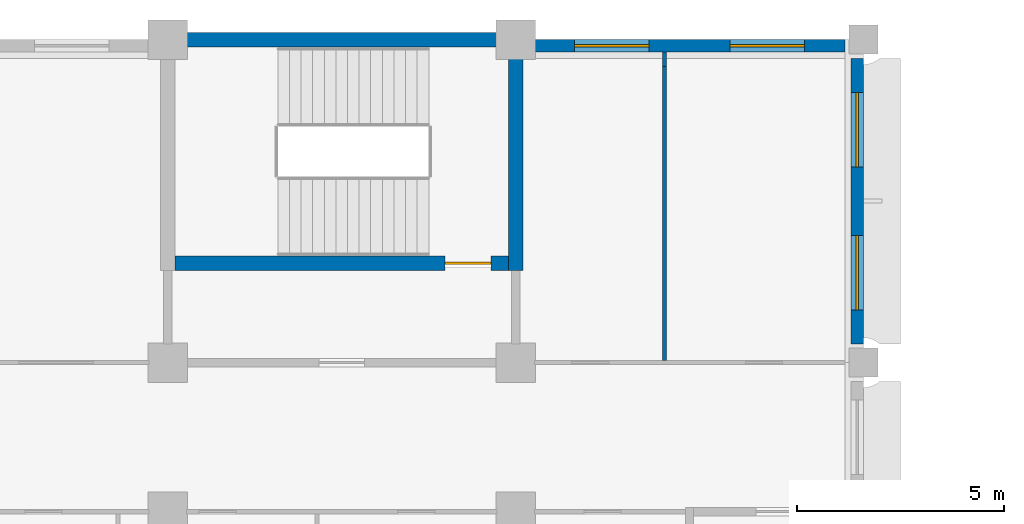
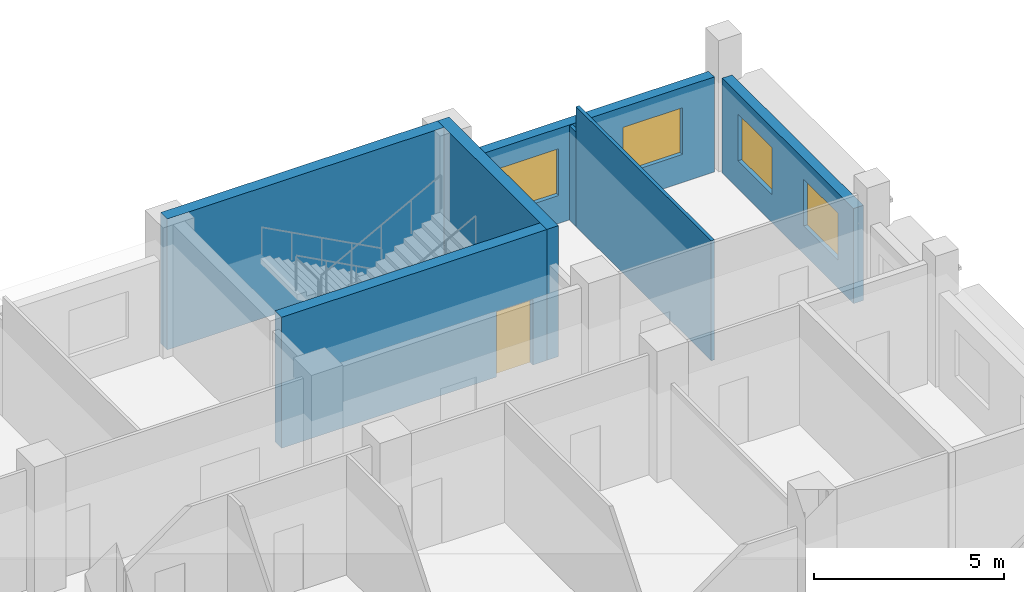
# One storey, part 75 of 109: 7 walls, 4 windows, 1 door, 5 openings.
"""IFC4 building model written with IfcOpenShell, lengths in metres."""

from ifc_helpers import new_model, si_unit, direction, frame, frame_2d, origin, place, context, subcontext, project, spatial, rectangle, extrude, material, layer, layer_set, type_object, element, fill, save


model = new_model("IFC4")

# Units and contexts
model_context = context("Model", 3, precision=1e-05, world=origin(), true_north=direction((0.0, 1.0)))
body_context = subcontext(model_context, "Body", "Model", "MODEL_VIEW")
ifc_project = project(units=[si_unit("LENGTHUNIT", "METRE"), si_unit("AREAUNIT", "SQUARE_METRE"), si_unit("VOLUMEUNIT", "CUBIC_METRE"), si_unit("PLANEANGLEUNIT", "RADIAN"), si_unit("MASSUNIT", "GRAM", prefix="KILO")], contexts=[model_context])

# Site, building, storey
site_placement = place(None, origin())
site = spatial("IfcSite", under=ifc_project, at=site_placement, CompositionType="ELEMENT")
building_placement = place(site_placement, origin())
building = spatial("IfcBuilding", under=site, at=building_placement, Name="Bougainvillea Quay General Hospital", CompositionType="ELEMENT")
storey_placement = place(building_placement, frame((0.0, 0.0, 12.60009765625)))
storey = spatial("IfcBuildingStorey", under=building, at=storey_placement, Name="L02", CompositionType="ELEMENT", Elevation=12.60009765625)

# Wall, openings, windows
ifc_material_1 = material(Name="Pale stone rainscreen cladding on insulated masonry backing, pale stone", Category="masonry")
ifc_layer_1 = layer(ifc_material_1, 0.300048828125)
ifc_layer_set_1 = layer_set([ifc_layer_1], Name="Pale stone rainscreen cladding on insulated masonry backing, pale stone")
wall_type_1 = type_object("IfcWallType", Name="External wall pale stone rainscreen 300", PredefinedType="STANDARD", material=ifc_layer_set_1)
wall_1_placement = place(storey_placement, frame((193.050048828125, 152.25, 0.0), z_axis=(0.0, 0.0, 1.0), x_axis=(0.0, 1.0, 0.0)))
wall_1 = element("IfcWall", 1, at=wall_1_placement, inside=storey, type_object=wall_type_1, Name="External wall wall/V4/L02/p0/00g", PredefinedType="STANDARD", context=body_context, shape_type="SweptSolid", body=[
    extrude(rectangle(XDim=6.89990234375, YDim=0.300048828125, at=frame_2d((3.449951171875, 0.0))), origin(), (0.0, 0.0, 1.0), 3.0498046875),
])
opening_1_placement = place(wall_1_placement, frame((0.824951171875, 0.0, 0.89990234375)))
opening_1 = element("IfcOpeningElement", 2, at=opening_1_placement, cuts=wall_1, Name="Opening W1", PredefinedType="OPENING", context=body_context, shape_type="SweptSolid", body=[
    extrude(rectangle(XDim=1.800048828125, YDim=1.5, at=frame_2d((0.89990234375, 0.75))), frame((0.0, 0.159912109375, 0.0), z_axis=(0.0, -1.0, 0.0), x_axis=(1.0, 0.0, 0.0)), (0.0, 0.0, 1.0), 0.320068359375),
])
opening_2_placement = place(wall_1_placement, frame((4.27490234375, 0.0, 0.89990234375)))
opening_2 = element("IfcOpeningElement", 3, at=opening_2_placement, cuts=wall_1, Name="Opening W1", PredefinedType="OPENING", context=body_context, shape_type="SweptSolid", body=[
    extrude(rectangle(XDim=1.800048828125, YDim=1.5, at=frame_2d((0.89990234375, 0.75))), frame((0.0, 0.159912109375, 0.0), z_axis=(0.0, -1.0, 0.0), x_axis=(1.0, 0.0, 0.0)), (0.0, 0.0, 1.0), 0.320068359375),
])
ifc_material_2 = material(Name="Aluminium window frame with low-e double glazed unit", Category="aluminium")
window_type = type_object("IfcWindowType", Name="Window W1 1800x1500", PartitioningType="DOUBLE_PANEL_VERTICAL", PredefinedType="WINDOW", material=ifc_material_2)
window_1_placement = place(opening_1_placement, origin())
window_1 = element("IfcWindow", 4, at=window_1_placement, inside=storey, type_object=window_type, Name="Window W1 1", OverallHeight=1.5, OverallWidth=1.800048828125, PartitioningType="SINGLE_PANEL", PredefinedType="WINDOW", context=body_context, shape_type="SweptSolid", body=[
    extrude(rectangle(XDim=1.800048828125, YDim=1.5, at=frame_2d((0.89990234375, 0.75))), frame((0.0, 0.030029296875, 0.0), z_axis=(0.0, -1.0, 0.0), x_axis=(1.0, 0.0, 0.0)), (0.0, 0.0, 1.0), 0.06005859375),
])
fill(opening_1, window_1)
window_2_placement = place(opening_2_placement, origin())
window_2 = element("IfcWindow", 5, at=window_2_placement, inside=storey, type_object=window_type, Name="Window W1 2", OverallHeight=1.5, OverallWidth=1.800048828125, PartitioningType="SINGLE_PANEL", PredefinedType="WINDOW", context=body_context, shape_type="SweptSolid", body=[
    extrude(rectangle(XDim=1.800048828125, YDim=1.5, at=frame_2d((0.89990234375, 0.75))), frame((0.0, 0.030029296875, 0.0), z_axis=(0.0, -1.0, 0.0), x_axis=(1.0, 0.0, 0.0)), (0.0, 0.0, 1.0), 0.06005859375),
])
fill(opening_2, window_2)

wall_2_placement = place(storey_placement, frame((192.75, 159.449951171875, 0.0), z_axis=(0.0, 0.0, 1.0), x_axis=(-1.0, 0.0, 0.0)))
wall_2 = element("IfcWall", 6, at=wall_2_placement, inside=storey, type_object=wall_type_1, Name="External wall wall/V4/L02/p0/01a", PredefinedType="STANDARD", context=body_context, shape_type="SweptSolid", body=[
    extrude(rectangle(XDim=7.5, YDim=0.300048828125, at=frame_2d((3.75, 0.0))), origin(), (0.0, 0.0, 1.0), 3.0498046875),
])
opening_3_placement = place(wall_2_placement, frame((0.97509765625, 0.0, 0.89990234375)))
opening_3 = element("IfcOpeningElement", 7, at=opening_3_placement, cuts=wall_2, Name="Opening W1", PredefinedType="OPENING", context=body_context, shape_type="SweptSolid", body=[
    extrude(rectangle(XDim=1.800048828125, YDim=1.5, at=frame_2d((0.89990234375, 0.75))), frame((0.0, 0.159912109375, 0.0), z_axis=(0.0, -1.0, 0.0), x_axis=(1.0, 0.0, 0.0)), (0.0, 0.0, 1.0), 0.320068359375),
])
opening_4_placement = place(wall_2_placement, frame((4.72509765625, 0.0, 0.89990234375)))
opening_4 = element("IfcOpeningElement", 8, at=opening_4_placement, cuts=wall_2, Name="Opening W1", PredefinedType="OPENING", context=body_context, shape_type="SweptSolid", body=[
    extrude(rectangle(XDim=1.800048828125, YDim=1.5, at=frame_2d((0.89990234375, 0.75))), frame((0.0, 0.159912109375, 0.0), z_axis=(0.0, -1.0, 0.0), x_axis=(1.0, 0.0, 0.0)), (0.0, 0.0, 1.0), 0.320068359375),
])
window_3_placement = place(opening_3_placement, origin())
window_3 = element("IfcWindow", 9, at=window_3_placement, inside=storey, type_object=window_type, Name="Window W1 1", OverallHeight=1.5, OverallWidth=1.800048828125, PartitioningType="SINGLE_PANEL", PredefinedType="WINDOW", context=body_context, shape_type="SweptSolid", body=[
    extrude(rectangle(XDim=1.800048828125, YDim=1.5, at=frame_2d((0.89990234375, 0.75))), frame((0.0, 0.030029296875, 0.0), z_axis=(0.0, -1.0, 0.0), x_axis=(1.0, 0.0, 0.0)), (0.0, 0.0, 1.0), 0.06005859375),
])
fill(opening_3, window_3)
window_4_placement = place(opening_4_placement, origin())
window_4 = element("IfcWindow", 10, at=window_4_placement, inside=storey, type_object=window_type, Name="Window W1 2", OverallHeight=1.5, OverallWidth=1.800048828125, PartitioningType="SINGLE_PANEL", PredefinedType="WINDOW", context=body_context, shape_type="SweptSolid", body=[
    extrude(rectangle(XDim=1.800048828125, YDim=1.5, at=frame_2d((0.89990234375, 0.75))), frame((0.0, 0.030029296875, 0.0), z_axis=(0.0, -1.0, 0.0), x_axis=(1.0, 0.0, 0.0)), (0.0, 0.0, 1.0), 0.06005859375),
])
fill(opening_4, window_4)

# Walls
ifc_material_3 = material(Name="Gypsum board partition on steel studs", Category="steel")
ifc_layer_2 = layer(ifc_material_3, 0.10009765625)
ifc_layer_set_2 = layer_set([ifc_layer_2], Name="Gypsum board partition on steel studs")
wall_type_2 = type_object("IfcWallType", Name="Partition 100 Gypsum board partition", PredefinedType="PARTITIONING", material=ifc_layer_set_2)
wall_3_placement = place(storey_placement, frame((188.39990234375, 151.85009765625, 0.0), z_axis=(0.0, 0.0, 1.0), x_axis=(0.0, 1.0, 0.0)))
element("IfcWall", 11, at=wall_3_placement, inside=storey, type_object=wall_type_2, Name="Partition 100 mm", PredefinedType="PARTITIONING", context=body_context, shape_type="SweptSolid", body=[
    extrude(rectangle(XDim=7.099853515625, YDim=0.10009765625, at=frame_2d((3.5498046875, 0.0))), origin(), (0.0, 0.0, 1.0), 3.849853515625),
])
wall_4_placement = place(storey_placement, frame((188.39990234375, 158.949951171875, 0.0), z_axis=(0.0, 0.0, 1.0), x_axis=(0.0, 1.0, 0.0)))
element("IfcWall", 12, at=wall_4_placement, inside=storey, type_object=wall_type_2, Name="Partition 100 mm", PredefinedType="PARTITIONING", context=body_context, shape_type="SweptSolid", body=[
    extrude(rectangle(XDim=0.35009765625, YDim=0.10009765625, at=frame_2d((0.175048828125, 0.0))), origin(), (0.0, 0.0, 1.0), 3.02978515625),
])
ifc_material_4 = material(Name="Concrete C40", Category="concrete")
ifc_layer_3 = layer(ifc_material_4, 0.35009765625)
ifc_layer_set_3 = layer_set([ifc_layer_3], Name="Concrete C40")
wall_type_3 = type_object("IfcWallType", Name="RC SHEAR WALL 350 C40", PredefinedType="SHEAR", material=ifc_layer_set_3)
wall_5_placement = place(storey_placement, frame((176.22509765625, 159.60009765625, 0.0), z_axis=(0.0, 0.0, 1.0), x_axis=(1.0, 0.0, 0.0)))
element("IfcWall", 13, at=wall_5_placement, inside=storey, type_object=wall_type_3, Name="Shear wall L02", PredefinedType="SHEAR", context=body_context, shape_type="SweptSolid", body=[
    extrude(rectangle(XDim=8.39990234375, YDim=0.35009765625, at=frame_2d((4.199951171875, 0.0))), origin(), (0.0, 0.0, 1.0), 4.199951171875),
])

# Wall, opening, door
wall_6_placement = place(storey_placement, frame((176.574951171875, 154.199951171875, 0.0), z_axis=(0.0, 0.0, 1.0), x_axis=(1.0, 0.0, 0.0)))
wall_6 = element("IfcWall", 14, at=wall_6_placement, inside=storey, type_object=wall_type_3, Name="Shear wall L02", PredefinedType="SHEAR", context=body_context, shape_type="SweptSolid", body=[
    extrude(rectangle(XDim=8.050048828125, YDim=0.35009765625, at=frame_2d((4.02490234375, 0.0))), origin(), (0.0, 0.0, 1.0), 4.199951171875),
])
opening_5_placement = place(wall_6_placement, frame((6.52490234375, 0.0, 0.0)))
opening_5 = element("IfcOpeningElement", 15, at=opening_5_placement, cuts=wall_6, Name="Opening L02.020", PredefinedType="OPENING", context=body_context, shape_type="SweptSolid", body=[
    extrude(rectangle(XDim=1.10009765625, YDim=2.10009765625, at=frame_2d((0.550048828125, 1.050048828125))), frame((0.0, 0.18505859375, 0.0), z_axis=(0.0, -1.0, 0.0), x_axis=(1.0, 0.0, 0.0)), (0.0, 0.0, 1.0), 0.3701171875),
])
ifc_material_5 = material(Name="Steel fire door leaf in steel frame", Category="steel")
door_type = type_object("IfcDoorType", Name="Steel single leaf door 1100x2100 FD60", OperationType="NOTDEFINED", PredefinedType="DOOR", material=ifc_material_5)
door_placement = place(opening_5_placement, origin())
door = element("IfcDoor", 16, at=door_placement, inside=storey, type_object=door_type, Name="DT04 L02.020", OperationType="SINGLE_SWING_RIGHT", OverallHeight=2.10009765625, OverallWidth=1.10009765625, PredefinedType="DOOR", context=body_context, shape_type="SweptSolid", body=[
    extrude(rectangle(XDim=1.10009765625, YDim=2.10009765625, at=frame_2d((0.550048828125, 1.050048828125))), frame((0.0, 0.02490234375, 0.0), z_axis=(0.0, -1.0, 0.0), x_axis=(1.0, 0.0, 0.0)), (0.0, 0.0, 1.0), 0.050048828125),
])
fill(opening_5, door)

# Wall
wall_7_placement = place(storey_placement, frame((184.800048828125, 154.02490234375, 0.0), z_axis=(0.0, 0.0, 1.0), x_axis=(0.0, 1.0, 0.0)))
element("IfcWall", 17, at=wall_7_placement, inside=storey, type_object=wall_type_3, Name="Shear wall L02", PredefinedType="SHEAR", context=body_context, shape_type="SweptSolid", body=[
    extrude(rectangle(XDim=5.75, YDim=0.35009765625, at=frame_2d((2.875, 0.0))), origin(), (0.0, 0.0, 1.0), 4.199951171875),
])

save(model, "model.ifc")
